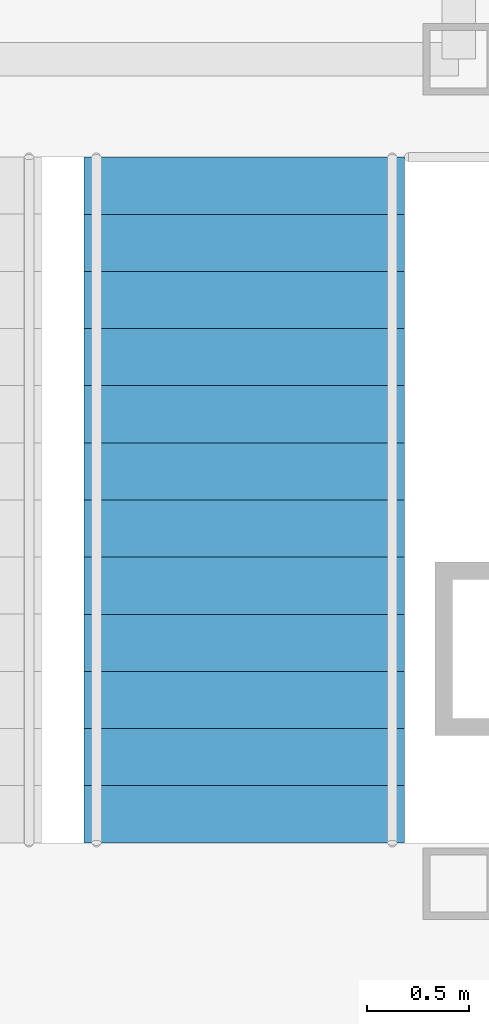
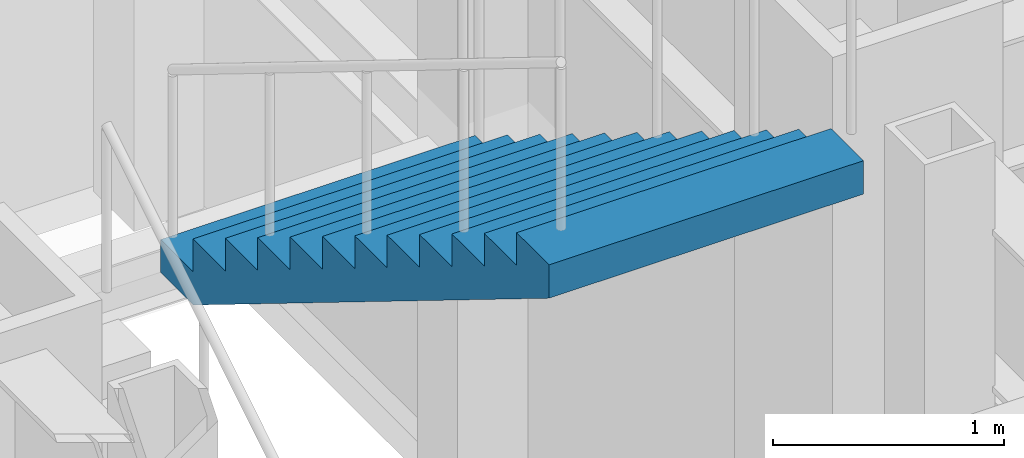
# One storey, part 13 of 17: 1 stair flight, 1 element without a shape of its own.
"""IFC4 building model written with IfcOpenShell, lengths in metres."""

from ifc_helpers import new_model, si_unit, direction, frame, origin, place, context, subcontext, project, spatial, faceted_brep, material, type_object, element, aggregate, save


model = new_model("IFC4")

# Units and contexts
model_context = context("Model", 3, precision=1e-05, world=origin(), true_north=direction((0.0, 1.0)))
body_context = subcontext(model_context, "Body", "Model", "MODEL_VIEW")
ifc_project = project(units=[si_unit("LENGTHUNIT", "METRE"), si_unit("AREAUNIT", "SQUARE_METRE"), si_unit("VOLUMEUNIT", "CUBIC_METRE"), si_unit("PLANEANGLEUNIT", "RADIAN"), si_unit("MASSUNIT", "GRAM", prefix="KILO")], contexts=[model_context])

# Site, building, storey
site_placement = place(None, origin())
site = spatial("IfcSite", under=ifc_project, at=site_placement, CompositionType="ELEMENT")
building_placement = place(site_placement, origin())
building = spatial("IfcBuilding", under=site, at=building_placement, Name="Chuquiago Exchange Tower", CompositionType="ELEMENT")
storey_placement = place(building_placement, frame((0.0, 0.0, 87.300048828125)))
storey = spatial("IfcBuildingStorey", under=building, at=storey_placement, Name="L18", CompositionType="ELEMENT", Elevation=87.300048828125)

# Stair, stair flight
ifc_material_1 = material(Name="Concrete C30/37, precast", Category="concrete")
stair_type = type_object("IfcStairType", Name="ST2 half-turn stair 4500", PredefinedType="HALF_TURN_STAIR", material=ifc_material_1)
stair_placement = place(storey_placement, origin())
stair = element("IfcStair", 1, at=stair_placement, inside=storey, type_object=stair_type, Name="Stair ST2 L18", PredefinedType="HALF_TURN_STAIR")
ifc_material_2 = material(Name="Concrete C30/37, precast", Category="concrete")
stair_flight_type = type_object("IfcStairFlightType", Name="ST-F flight 1570 for 4500 storey", PredefinedType="STRAIGHT", material=ifc_material_2)
stair_flight_placement = place(storey_placement, frame((31.639892578125, 26.409912109375, 2.25), z_axis=(0.0, 0.0, 1.0), x_axis=(0.0, -1.0, 0.0)))
stair_flight = element("IfcStairFlight", 2, at=stair_flight_placement, type_object=stair_flight_type, Name="ST2 flight 2", NumberOfRisers=13, NumberOfTreads=12, PredefinedType="STRAIGHT", RiserHeight=0.173076923, TreadLength=0.28, context=body_context, shape_type="Brep", body=[
    faceted_brep([(0.0, 0.78515625, 0.0), (0.0, 0.78515625, 0.173095703125), (0.280029296875, 0.78515625, 0.173095703125), (0.280029296875, 0.78515625, 0.34619140625), (0.56005859375, 0.78515625, 0.34619140625), (0.56005859375, 0.78515625, 0.519287109375), (0.840087890625, 0.78515625, 0.519287109375), (0.840087890625, 0.78515625, 0.6923828125), (1.1201171875, 0.78515625, 0.6923828125), (1.1201171875, 0.78515625, 0.865478515625), (1.39990234375, 0.78515625, 0.865478515625), (1.39990234375, 0.78515625, 1.03857421875), (1.679931640625, 0.78515625, 1.03857421875), (1.679931640625, 0.78515625, 1.21142578125), (1.9599609375, 0.78515625, 1.21142578125), (1.9599609375, 0.78515625, 1.384521484375), (2.239990234375, 0.78515625, 1.384521484375), (2.239990234375, 0.78515625, 1.5576171875), (2.52001953125, 0.78515625, 1.5576171875), (2.52001953125, 0.78515625, 1.730712890625), (2.800048828125, 0.78515625, 1.730712890625), (2.800048828125, 0.78515625, 1.90380859375), (3.080078125, 0.78515625, 1.90380859375), (3.080078125, 0.78515625, 2.076904296875), (3.360107421875, 0.78515625, 2.076904296875), (3.360107421875, 0.78515625, 1.900634765625), (0.28515625, 0.78515625, 0.0), (0.28515625, -0.78515625, 0.0), (3.360107421875, -0.78515625, 1.900634765625), (3.360107421875, -0.78515625, 2.076904296875), (3.080078125, -0.78515625, 2.076904296875), (3.080078125, -0.78515625, 1.90380859375), (2.800048828125, -0.78515625, 1.90380859375), (2.800048828125, -0.78515625, 1.730712890625), (2.52001953125, -0.78515625, 1.730712890625), (2.52001953125, -0.78515625, 1.5576171875), (2.239990234375, -0.78515625, 1.5576171875), (2.239990234375, -0.78515625, 1.384521484375), (1.9599609375, -0.78515625, 1.384521484375), (1.9599609375, -0.78515625, 1.21142578125), (1.679931640625, -0.78515625, 1.21142578125), (1.679931640625, -0.78515625, 1.03857421875), (1.39990234375, -0.78515625, 1.03857421875), (1.39990234375, -0.78515625, 0.865478515625), (1.1201171875, -0.78515625, 0.865478515625), (1.1201171875, -0.78515625, 0.6923828125), (0.840087890625, -0.78515625, 0.6923828125), (0.840087890625, -0.78515625, 0.519287109375), (0.56005859375, -0.78515625, 0.519287109375), (0.56005859375, -0.78515625, 0.34619140625), (0.280029296875, -0.78515625, 0.34619140625), (0.280029296875, -0.78515625, 0.173095703125), (0.0, -0.78515625, 0.173095703125), (0.0, -0.78515625, 0.0), (0.0, 0.392578125, 0.0), (0.0, 0.392578125, 0.173095703125), (0.0, 0.0, 0.0), (0.0, 0.0, 0.173095703125), (0.0, -0.392578125, 0.0), (0.0, -0.392578125, 0.173095703125), (0.280029296875, 0.392578125, 0.173095703125), (0.280029296875, 0.0, 0.173095703125), (0.280029296875, -0.392578125, 0.173095703125), (0.280029296875, 0.392578125, 0.34619140625), (0.280029296875, 0.0, 0.34619140625), (0.280029296875, -0.392578125, 0.34619140625), (0.56005859375, 0.392578125, 0.34619140625), (0.56005859375, 0.0, 0.34619140625), (0.56005859375, -0.392578125, 0.34619140625), (0.56005859375, 0.392578125, 0.519287109375), (0.56005859375, 0.0, 0.519287109375), (0.56005859375, -0.392578125, 0.519287109375), (0.840087890625, 0.392578125, 0.519287109375), (0.840087890625, 0.0, 0.519287109375), (0.840087890625, -0.392578125, 0.519287109375), (0.840087890625, 0.392578125, 0.6923828125), (0.840087890625, 0.0, 0.6923828125), (0.840087890625, -0.392578125, 0.6923828125), (1.1201171875, 0.392578125, 0.6923828125), (1.1201171875, 0.0, 0.6923828125), (1.1201171875, -0.392578125, 0.6923828125), (1.1201171875, 0.392578125, 0.865478515625), (1.1201171875, 0.0, 0.865478515625), (1.1201171875, -0.392578125, 0.865478515625), (1.39990234375, 0.392578125, 0.865478515625), (1.39990234375, 0.0, 0.865478515625), (1.39990234375, -0.392578125, 0.865478515625), (1.39990234375, 0.392578125, 1.03857421875), (1.39990234375, 0.0, 1.03857421875), (1.39990234375, -0.392578125, 1.03857421875), (1.679931640625, 0.392578125, 1.03857421875), (1.679931640625, 0.0, 1.03857421875), (1.679931640625, -0.392578125, 1.03857421875), (1.679931640625, 0.392578125, 1.21142578125), (1.679931640625, 0.0, 1.21142578125), (1.679931640625, -0.392578125, 1.21142578125), (1.9599609375, 0.392578125, 1.21142578125), (1.9599609375, 0.0, 1.21142578125), (1.9599609375, -0.392578125, 1.21142578125), (1.9599609375, 0.392578125, 1.384521484375), (1.9599609375, 0.0, 1.384521484375), (1.9599609375, -0.392578125, 1.384521484375), (2.239990234375, 0.392578125, 1.384521484375), (2.239990234375, 0.0, 1.384521484375), (2.239990234375, -0.392578125, 1.384521484375), (2.239990234375, 0.392578125, 1.5576171875), (2.239990234375, 0.0, 1.5576171875), (2.239990234375, -0.392578125, 1.5576171875), (2.52001953125, 0.392578125, 1.5576171875), (2.52001953125, 0.0, 1.5576171875), (2.52001953125, -0.392578125, 1.5576171875), (2.52001953125, 0.392578125, 1.730712890625), (2.52001953125, 0.0, 1.730712890625), (2.52001953125, -0.392578125, 1.730712890625), (2.800048828125, 0.392578125, 1.730712890625), (2.800048828125, 0.0, 1.730712890625), (2.800048828125, -0.392578125, 1.730712890625), (2.800048828125, 0.392578125, 1.90380859375), (2.800048828125, 0.0, 1.90380859375), (2.800048828125, -0.392578125, 1.90380859375), (3.080078125, 0.392578125, 1.90380859375), (3.080078125, 0.0, 1.90380859375), (3.080078125, -0.392578125, 1.90380859375), (3.080078125, 0.392578125, 2.076904296875), (3.080078125, 0.0, 2.076904296875), (3.080078125, -0.392578125, 2.076904296875), (3.360107421875, 0.392578125, 2.076904296875), (3.360107421875, 0.0, 2.076904296875), (3.360107421875, -0.392578125, 2.076904296875), (3.360107421875, 0.392578125, 1.900634765625), (3.360107421875, 0.0, 1.900634765625), (3.360107421875, -0.392578125, 1.900634765625), (0.28515625, 0.392578125, 0.0), (0.28515625, 0.0, 0.0), (0.28515625, -0.392578125, 0.0)], [[[0, 1, 2, 3, 4, 5, 6, 7, 8, 9, 10, 11, 12, 13, 14, 15, 16, 17, 18, 19, 20, 21, 22, 23, 24, 25, 26]], [[27, 28, 29, 30, 31, 32, 33, 34, 35, 36, 37, 38, 39, 40, 41, 42, 43, 44, 45, 46, 47, 48, 49, 50, 51, 52, 53]], [[1, 0, 54, 55]], [[55, 54, 56, 57]], [[57, 56, 58, 59]], [[59, 58, 53, 52]], [[2, 1, 55, 60]], [[60, 55, 57, 61]], [[61, 57, 59, 62]], [[62, 59, 52, 51]], [[3, 2, 60, 63]], [[63, 60, 61, 64]], [[64, 61, 62, 65]], [[65, 62, 51, 50]], [[4, 3, 63, 66]], [[66, 63, 64, 67]], [[67, 64, 65, 68]], [[68, 65, 50, 49]], [[5, 4, 66, 69]], [[69, 66, 67, 70]], [[70, 67, 68, 71]], [[71, 68, 49, 48]], [[6, 5, 69, 72]], [[72, 69, 70, 73]], [[73, 70, 71, 74]], [[74, 71, 48, 47]], [[7, 6, 72, 75]], [[75, 72, 73, 76]], [[76, 73, 74, 77]], [[77, 74, 47, 46]], [[8, 7, 75, 78]], [[78, 75, 76, 79]], [[79, 76, 77, 80]], [[80, 77, 46, 45]], [[9, 8, 78, 81]], [[81, 78, 79, 82]], [[82, 79, 80, 83]], [[83, 80, 45, 44]], [[10, 9, 81, 84]], [[84, 81, 82, 85]], [[85, 82, 83, 86]], [[86, 83, 44, 43]], [[11, 10, 84, 87]], [[87, 84, 85, 88]], [[88, 85, 86, 89]], [[89, 86, 43, 42]], [[12, 11, 87, 90]], [[90, 87, 88, 91]], [[91, 88, 89, 92]], [[92, 89, 42, 41]], [[13, 12, 90, 93]], [[93, 90, 91, 94]], [[94, 91, 92, 95]], [[95, 92, 41, 40]], [[14, 13, 93, 96]], [[96, 93, 94, 97]], [[97, 94, 95, 98]], [[98, 95, 40, 39]], [[15, 14, 96, 99]], [[99, 96, 97, 100]], [[100, 97, 98, 101]], [[101, 98, 39, 38]], [[16, 15, 99, 102]], [[102, 99, 100, 103]], [[103, 100, 101, 104]], [[104, 101, 38, 37]], [[17, 16, 102, 105]], [[105, 102, 103, 106]], [[106, 103, 104, 107]], [[107, 104, 37, 36]], [[18, 17, 105, 108]], [[108, 105, 106, 109]], [[109, 106, 107, 110]], [[110, 107, 36, 35]], [[19, 18, 108, 111]], [[111, 108, 109, 112]], [[112, 109, 110, 113]], [[113, 110, 35, 34]], [[20, 19, 111, 114]], [[114, 111, 112, 115]], [[115, 112, 113, 116]], [[116, 113, 34, 33]], [[21, 20, 114, 117]], [[117, 114, 115, 118]], [[118, 115, 116, 119]], [[119, 116, 33, 32]], [[22, 21, 117, 120]], [[120, 117, 118, 121]], [[121, 118, 119, 122]], [[122, 119, 32, 31]], [[23, 22, 120, 123]], [[123, 120, 121, 124]], [[124, 121, 122, 125]], [[125, 122, 31, 30]], [[24, 23, 123, 126]], [[126, 123, 124, 127]], [[127, 124, 125, 128]], [[128, 125, 30, 29]], [[25, 24, 126, 129]], [[129, 126, 127, 130]], [[130, 127, 128, 131]], [[131, 128, 29, 28]], [[26, 25, 129, 132]], [[132, 129, 130, 133]], [[133, 130, 131, 134]], [[134, 131, 28, 27]], [[0, 26, 132, 54]], [[54, 132, 133, 56]], [[56, 133, 134, 58]], [[58, 134, 27, 53]]]),
])
aggregate(stair, [stair_flight])

save(model, "model.ifc")
